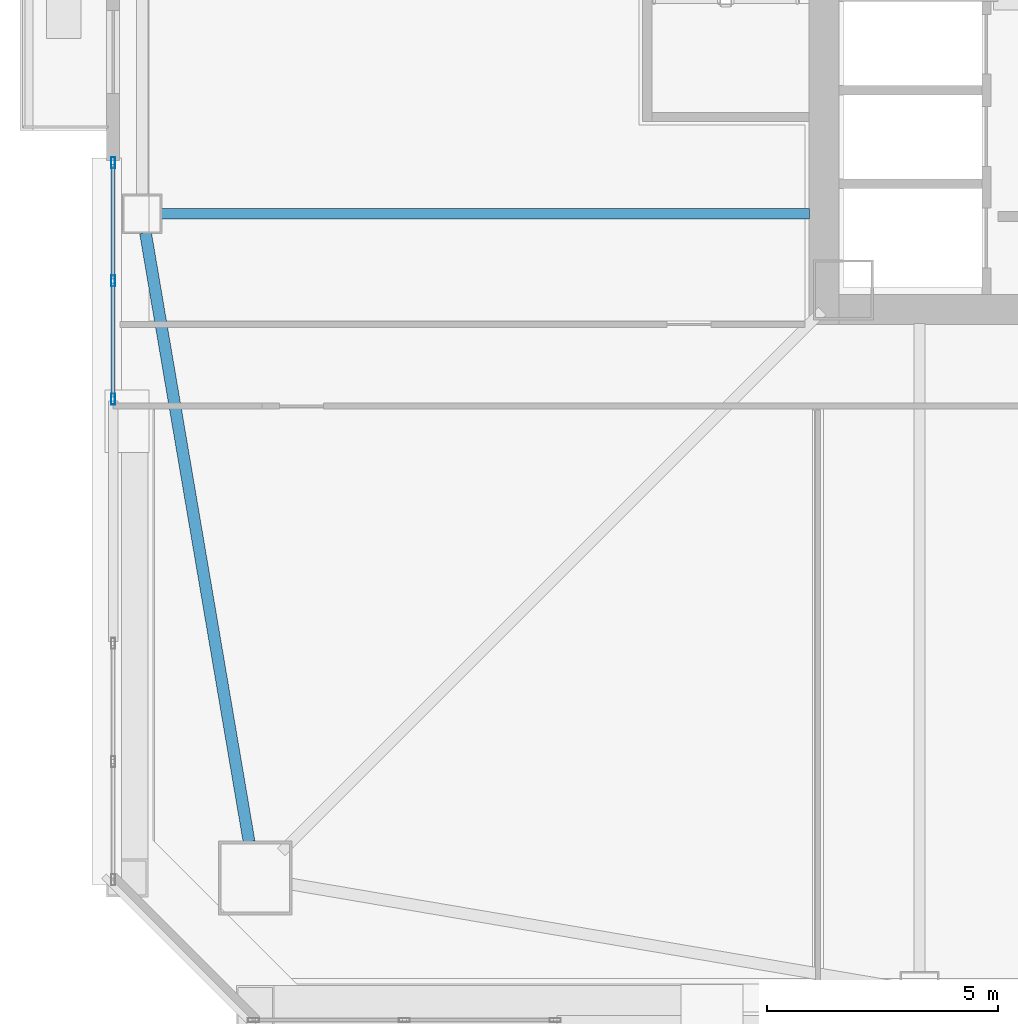
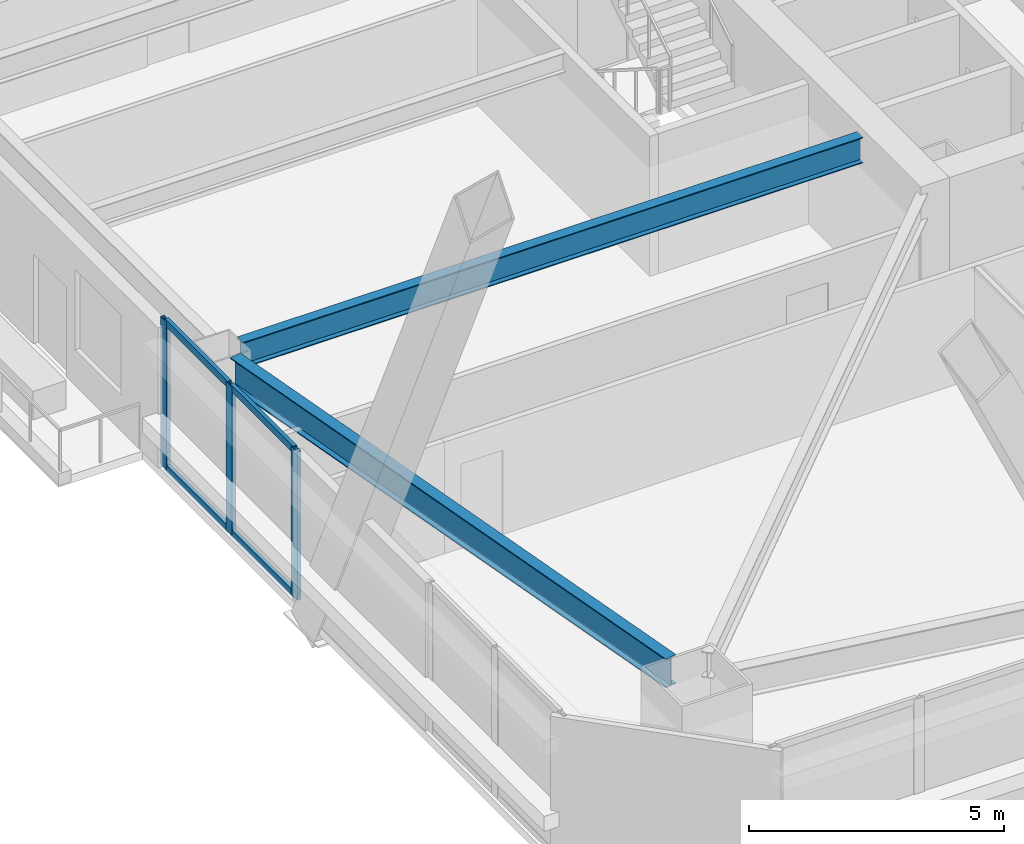
# One storey, part 8 of 75: 7 members, 2 beams, 1 element without a shape of its own.
"""IFC4 building model written with IfcOpenShell, lengths in metres."""

from ifc_helpers import new_model, si_unit, direction, frame, origin, origin_2d, place, context, subcontext, project, spatial, hollow_rectangle, i_section, extrude, material, material_profile, profile_set, type_object, element, aggregate, save


model = new_model("IFC4")

# Units and contexts
model_context = context("Model", 3, precision=1e-05, world=origin(), true_north=direction((0.0, 1.0)))
body_context = subcontext(model_context, "Body", "Model", "MODEL_VIEW")
ifc_project = project(units=[si_unit("LENGTHUNIT", "METRE"), si_unit("AREAUNIT", "SQUARE_METRE"), si_unit("VOLUMEUNIT", "CUBIC_METRE"), si_unit("PLANEANGLEUNIT", "RADIAN"), si_unit("MASSUNIT", "GRAM", prefix="KILO")], contexts=[model_context])

# Site, building, storey
site_placement = place(None, origin())
site = spatial("IfcSite", under=ifc_project, at=site_placement, CompositionType="ELEMENT")
building_placement = place(site_placement, origin())
building = spatial("IfcBuilding", under=site, at=building_placement, Name="Tashvorn Skyway Center", CompositionType="ELEMENT")
storey_placement = place(building_placement, frame((0.0, 0.0, 45.89990234375)))
storey = spatial("IfcBuildingStorey", under=building, at=storey_placement, Name="L11", CompositionType="ELEMENT", Elevation=45.89990234375)

# Beams
ifc_material_1 = material(Name="Steel ASTM A992 Grade 50", Category="steel")
ifc_material_profile_1 = material_profile(ifc_material_1, i_section(OverallWidth=0.22998046875, OverallDepth=0.616943359375, WebThickness=0.01318359375, FlangeThickness=0.022216796875, at=origin_2d()), Name="W24X94")
ifc_profile_set_1 = profile_set([ifc_material_profile_1], Name="Steel ASTM A992 Grade 50")
beam_type_1 = type_object("IfcBeamType", Name="BM-BEAM-W24X94", PredefinedType="BEAM", material=ifc_profile_set_1)
beam_1_placement = place(storey_placement, frame((20.169921875, 26.60009765625, 3.04150390625), z_axis=(1.0, 0.0, 0.0), x_axis=(0.0, 1.0, 0.0)))
element("IfcBeam", 1, at=beam_1_placement, inside=storey, type_object=beam_type_1, Name="Tower 1 L11 Primary Floor Girder FC-W2", PredefinedType="BEAM", context=body_context, shape_type="SweptSolid", body=[
    extrude(i_section(OverallWidth=0.22998046875, OverallDepth=0.616943359375, WebThickness=0.01318359375, FlangeThickness=0.022216796875, at=origin_2d()), origin(), (0.0, 0.0, 1.0), 14.050048828125),
])
ifc_material_profile_2 = material_profile(ifc_material_1, i_section(OverallWidth=0.256103515625, OverallDepth=0.693115234375, WebThickness=0.014404296875, FlangeThickness=0.023681640625, at=origin_2d()), Name="W27X114")
ifc_profile_set_2 = profile_set([ifc_material_profile_2], Name="Steel ASTM A992 Grade 50")
beam_type_2 = type_object("IfcBeamType", Name="BM-SPANDREL-W27X114", PredefinedType="SPANDREL", material=ifc_profile_set_2)
beam_2_placement = place(storey_placement, frame((19.820556640625, 26.18603515625, 3.003662109375), z_axis=(0.16771792509, -0.985835025551, 0.0), x_axis=(0.985835025551, 0.16771792509, 0.0)))
element("IfcBeam", 2, at=beam_2_placement, inside=storey, type_object=beam_type_2, Name="Tower 1 L11 Spandrel Beam 12", PredefinedType="SPANDREL", context=body_context, shape_type="SweptSolid", body=[
    extrude(i_section(OverallWidth=0.256103515625, OverallDepth=0.693115234375, WebThickness=0.014404296875, FlangeThickness=0.023681640625, at=origin_2d()), origin(), (0.0, 0.0, 1.0), 13.39208984375),
])

# Curtain wall, members
ifc_material_2 = material(Name="Thermally broken bronze-anodized aluminium 6063-T6", Category="aluminium")
curtain_wall_type = type_object("IfcCurtainWallType", Name="CW-CW-Z1", PredefinedType="NOTDEFINED", material=ifc_material_2)
curtain_wall_placement = place(storey_placement, origin())
curtain_wall = element("IfcCurtainWall", 3, at=curtain_wall_placement, inside=storey, type_object=curtain_wall_type, Name="Tower 1 L11 West Curtain Wall L Glazing Group 2", PredefinedType="NOTDEFINED")
ifc_material_profile_3 = material_profile(ifc_material_2, hollow_rectangle(XDim=0.0849609375, YDim=0.239990234375, WallThickness=0.0048828125, at=origin_2d()), Name="ALU-MULL-85x240")
ifc_profile_set_3 = profile_set([ifc_material_profile_3], Name="Thermally broken bronze-anodized aluminium 6063-T6")
member_type_1 = type_object("IfcMemberType", Name="CWM-CW-Z1", PredefinedType="MULLION", material=ifc_profile_set_3)
member_1_placement = place(storey_placement, frame((19.1201171875, 22.58251953125, 0.0), z_axis=(0.0, 0.0, 1.0), x_axis=(-1.0, 0.0, 0.0)))
member_1 = element("IfcMember", 4, at=member_1_placement, type_object=member_type_1, Name="CW-Z1 mullion 1", PredefinedType="MULLION", context=body_context, shape_type="SweptSolid", body=[
    extrude(hollow_rectangle(XDim=0.0849609375, YDim=0.239990234375, WallThickness=0.0048828125, at=origin_2d()), origin(), (0.0, 0.0, 1.0), 3.550048828125),
])
member_2_placement = place(storey_placement, frame((19.1201171875, 25.14501953125, 0.0), z_axis=(0.0, 0.0, 1.0), x_axis=(-1.0, 0.0, 0.0)))
member_2 = element("IfcMember", 5, at=member_2_placement, type_object=member_type_1, Name="CW-Z1 mullion 2", PredefinedType="MULLION", context=body_context, shape_type="SweptSolid", body=[
    extrude(hollow_rectangle(XDim=0.0849609375, YDim=0.239990234375, WallThickness=0.0048828125, at=origin_2d()), origin(), (0.0, 0.0, 1.0), 3.550048828125),
])
member_3_placement = place(storey_placement, frame((19.1201171875, 27.70751953125, 0.0), z_axis=(0.0, 0.0, 1.0), x_axis=(-1.0, 0.0, 0.0)))
member_3 = element("IfcMember", 6, at=member_3_placement, type_object=member_type_1, Name="CW-Z1 mullion 3", PredefinedType="MULLION", context=body_context, shape_type="SweptSolid", body=[
    extrude(hollow_rectangle(XDim=0.0849609375, YDim=0.239990234375, WallThickness=0.0048828125, at=origin_2d()), origin(), (0.0, 0.0, 1.0), 3.550048828125),
])
ifc_material_profile_4 = material_profile(ifc_material_2, hollow_rectangle(XDim=0.0849609375, YDim=0.1650390625, WallThickness=0.0048828125, at=origin_2d()), Name="ALU-TRAN-85x165")
ifc_profile_set_4 = profile_set([ifc_material_profile_4], Name="Thermally broken bronze-anodized aluminium 6063-T6")
member_type_2 = type_object("IfcMemberType", Name="CWT-CW-Z1", PredefinedType="USERDEFINED", material=ifc_profile_set_4)
member_4_placement = place(storey_placement, frame((19.1201171875, 22.625, 0.04248046875), z_axis=(0.0, 1.0, 0.0), x_axis=(-1.0, 0.0, 0.0)))
member_4 = element("IfcMember", 7, at=member_4_placement, type_object=member_type_2, Name="CW-Z1 transom 1.1", ObjectType="TRANSOM", PredefinedType="USERDEFINED", context=body_context, shape_type="SweptSolid", body=[
    extrude(hollow_rectangle(XDim=0.0849609375, YDim=0.1650390625, WallThickness=0.0048828125, at=origin_2d()), origin(), (0.0, 0.0, 1.0), 2.4775390625),
])
member_5_placement = place(storey_placement, frame((19.1201171875, 22.625, 3.507568359375), z_axis=(0.0, 1.0, 0.0), x_axis=(-1.0, 0.0, 0.0)))
member_5 = element("IfcMember", 8, at=member_5_placement, type_object=member_type_2, Name="CW-Z1 transom 1.2", ObjectType="TRANSOM", PredefinedType="USERDEFINED", context=body_context, shape_type="SweptSolid", body=[
    extrude(hollow_rectangle(XDim=0.0849609375, YDim=0.1650390625, WallThickness=0.0048828125, at=origin_2d()), origin(), (0.0, 0.0, 1.0), 2.4775390625),
])
member_6_placement = place(storey_placement, frame((19.1201171875, 25.1875, 0.04248046875), z_axis=(0.0, 1.0, 0.0), x_axis=(-1.0, 0.0, 0.0)))
member_6 = element("IfcMember", 9, at=member_6_placement, type_object=member_type_2, Name="CW-Z1 transom 2.1", ObjectType="TRANSOM", PredefinedType="USERDEFINED", context=body_context, shape_type="SweptSolid", body=[
    extrude(hollow_rectangle(XDim=0.0849609375, YDim=0.1650390625, WallThickness=0.0048828125, at=origin_2d()), origin(), (0.0, 0.0, 1.0), 2.4775390625),
])
member_7_placement = place(storey_placement, frame((19.1201171875, 25.1875, 3.507568359375), z_axis=(0.0, 1.0, 0.0), x_axis=(-1.0, 0.0, 0.0)))
member_7 = element("IfcMember", 10, at=member_7_placement, type_object=member_type_2, Name="CW-Z1 transom 2.2", ObjectType="TRANSOM", PredefinedType="USERDEFINED", context=body_context, shape_type="SweptSolid", body=[
    extrude(hollow_rectangle(XDim=0.0849609375, YDim=0.1650390625, WallThickness=0.0048828125, at=origin_2d()), origin(), (0.0, 0.0, 1.0), 2.4775390625),
])
aggregate(curtain_wall, [member_1, member_2, member_3, member_4, member_5, member_6, member_7])

save(model, "model.ifc")
